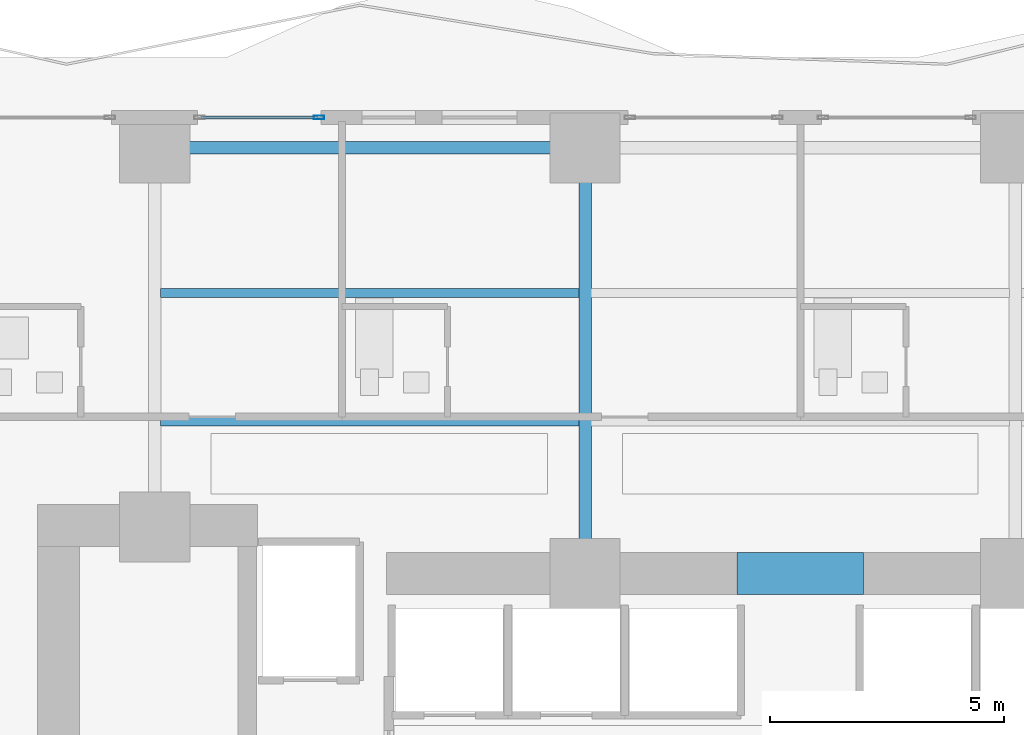
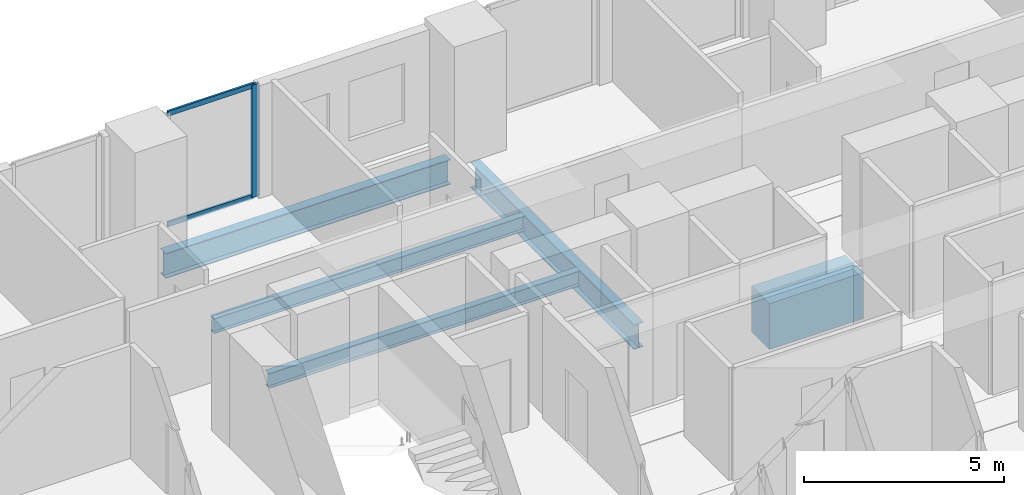
# One storey, part 14 of 30: 5 beams, 3 members, 1 element without a shape of its own.
"""IFC4 building model written with IfcOpenShell, lengths in metres."""

from ifc_helpers import new_model, si_unit, direction, frame, origin, origin_2d, place, context, subcontext, project, spatial, rectangle, hollow_rectangle, i_section, extrude, material, layer, layer_set, material_profile, profile_set, type_object, element, aggregate, save


model = new_model("IFC4")

# Units and contexts
model_context = context("Model", 3, precision=1e-05, world=origin(), true_north=direction((0.0, 1.0)))
body_context = subcontext(model_context, "Body", "Model", "MODEL_VIEW")
ifc_project = project(units=[si_unit("LENGTHUNIT", "METRE"), si_unit("AREAUNIT", "SQUARE_METRE"), si_unit("VOLUMEUNIT", "CUBIC_METRE"), si_unit("PLANEANGLEUNIT", "RADIAN"), si_unit("MASSUNIT", "GRAM", prefix="KILO")], contexts=[model_context])

# Site, building, storey
site_placement = place(None, origin())
site = spatial("IfcSite", under=ifc_project, at=site_placement, CompositionType="ELEMENT")
building_placement = place(site_placement, origin())
building = spatial("IfcBuilding", under=site, at=building_placement, Name="Zuhayl Quay Hotel", CompositionType="ELEMENT")
storey_placement = place(building_placement, frame((0.0, 0.0, 82.35009765625)))
storey = spatial("IfcBuildingStorey", under=building, at=storey_placement, Name="L20", CompositionType="ELEMENT", Elevation=82.35009765625)

# Beams
ifc_material_1 = material(Name="Steel ASTM A992 Grade 50", Category="steel")
ifc_material_profile_1 = material_profile(ifc_material_1, i_section(OverallWidth=0.26708984375, OverallDepth=0.761962890625, WebThickness=0.014404296875, FlangeThickness=0.021484375, at=origin_2d()), Name="W30X116")
ifc_profile_set_1 = profile_set([ifc_material_profile_1], Name="Steel ASTM A992 Grade 50")
beam_type_1 = type_object("IfcBeamType", Name="BM_B1_W30X116", PredefinedType="BEAM", material=ifc_profile_set_1)
beam_1_placement = place(storey_placement, frame((-5.10009765625, 22.449951171875, -0.60107421875), z_axis=(-1.0, 0.0, 0.0), x_axis=(0.0, -1.0, 0.0)))
element("IfcBeam", 1, at=beam_1_placement, inside=storey, type_object=beam_type_1, Name="L20 Floor Beam RG_L20_09", PredefinedType="BEAM", context=body_context, shape_type="SweptSolid", body=[
    extrude(i_section(OverallWidth=0.26708984375, OverallDepth=0.761962890625, WebThickness=0.014404296875, FlangeThickness=0.021484375, at=origin_2d()), origin(), (0.0, 0.0, 1.0), 8.199951171875),
])
beam_2_placement = place(storey_placement, frame((-4.60009765625, 13.800048828125, -0.60107421875), z_axis=(0.0, 1.0, 0.0), x_axis=(-1.0, 0.0, 0.0)))
element("IfcBeam", 2, at=beam_2_placement, inside=storey, type_object=beam_type_1, Name="L20 Floor Beam FG_N_L20_2", PredefinedType="BEAM", context=body_context, shape_type="SweptSolid", body=[
    extrude(i_section(OverallWidth=0.26708984375, OverallDepth=0.761962890625, WebThickness=0.014404296875, FlangeThickness=0.021484375, at=origin_2d()), origin(), (0.0, 0.0, 1.0), 8.14990234375),
])
ifc_material_2 = material(Name="Concrete C60/75", Category="concrete")
ifc_material_profile_2 = material_profile(ifc_material_2, rectangle(XDim=0.89990234375, YDim=1.39990234375, at=origin_2d()), Name="RC900X1400")
ifc_profile_set_2 = profile_set([ifc_material_profile_2], Name="Concrete C60/75")
beam_type_2 = type_object("IfcBeamType", Name="BM_CB1_RC900", PredefinedType="T_BEAM", material=ifc_profile_set_2)
beam_3_placement = place(storey_placement, frame((-1.35009765625, 13.35009765625, -0.920166015625), z_axis=(1.0, 0.0, 0.0), x_axis=(0.0, 1.0, 0.0)))
element("IfcBeam", 3, at=beam_3_placement, inside=storey, type_object=beam_type_2, Name="L20 Core Coupling Beam North", PredefinedType="T_BEAM", context=body_context, shape_type="SweptSolid", body=[
    extrude(rectangle(XDim=0.89990234375, YDim=1.39990234375, at=origin_2d()), origin(), (0.0, 0.0, 1.0), 2.7001953125),
])
ifc_material_profile_3 = material_profile(ifc_material_1, i_section(OverallWidth=0.18994140625, OverallDepth=0.45703125, WebThickness=0.009033203125, FlangeThickness=0.014404296875, at=origin_2d()), Name="W18X50")
ifc_profile_set_3 = profile_set([ifc_material_profile_3], Name="Steel ASTM A992 Grade 50")
beam_type_3 = type_object("IfcBeamType", Name="BM_J2_W18X50", PredefinedType="JOIST", material=ifc_profile_set_3)
for number, where, z_axis, x_axis, name in (
    (4, (-13.674560546875, 16.60009765625, -0.448486328125), (1.0, 0.0, 0.0), (0.0, 1.0, 0.0), "L20 Floor Beam FJ_L20_1_1"),
    (5, (-13.674560546875, 19.35009765625, -0.448486328125), (1.0, 0.0, 0.0), (0.0, 1.0, 0.0), "L20 Floor Beam FJ_L20_2_1"),
):
    element("IfcBeam", number, at=place(storey_placement, frame(where, z_axis=z_axis, x_axis=x_axis)), inside=storey, type_object=beam_type_3, Name=name, PredefinedType="JOIST", context=body_context, shape_type="SweptSolid", body=[
        extrude(i_section(OverallWidth=0.18994140625, OverallDepth=0.45703125, WebThickness=0.009033203125, FlangeThickness=0.014404296875, at=origin_2d()), origin(), (0.0, 0.0, 1.0), 8.948974609375),
    ])

# Curtain wall, members
ifc_material_3 = material(Name="Anodised Aluminium 6063-T6", Category="aluminium")
ifc_layer = layer(ifc_material_3, 0.18994140625, Name="Anodised Aluminium 6063-T6", Category="aluminium")
ifc_layer_set = layer_set([ifc_layer], Name="Anodised Aluminium 6063-T6")
curtain_wall_type = type_object("IfcCurtainWallType", Name="CW_SYS_Z1", PredefinedType="USERDEFINED", material=ifc_layer_set)
curtain_wall_placement = place(storey_placement, origin())
curtain_wall = element("IfcCurtainWall", 6, at=curtain_wall_placement, inside=storey, type_object=curtain_wall_type, Name="L20 Curtain Wall ENV_L20_N_CW3", ObjectType="UNITISED CURTAIN WALL", PredefinedType="USERDEFINED")
ifc_material_4 = material(Name="Black-anodised aluminium 6063-T6", Category="aluminium")
ifc_material_profile_4 = material_profile(ifc_material_4, hollow_rectangle(XDim=0.074951171875, YDim=0.219970703125, WallThickness=0.00390625, at=origin_2d()), Name="ALU220X75")
ifc_profile_set_4 = profile_set([ifc_material_profile_4], Name="Black-anodised aluminium 6063-T6")
member_type_1 = type_object("IfcMemberType", Name="MB_CW_MUL_220", PredefinedType="MULLION", material=ifc_profile_set_4)
member_1_placement = place(storey_placement, frame((-10.28759765625, 23.10009765625, 0.0), z_axis=(0.0, 0.0, 1.0), x_axis=(0.0, 1.0, 0.0)))
member_1 = element("IfcMember", 7, at=member_1_placement, type_object=member_type_1, Name="CW-Z1 mullion 2", PredefinedType="MULLION", context=body_context, shape_type="SweptSolid", body=[
    extrude(hollow_rectangle(XDim=0.074951171875, YDim=0.219970703125, WallThickness=0.00390625, at=origin_2d()), origin(), (0.0, 0.0, 1.0), 3.429931640625),
])
ifc_material_profile_5 = material_profile(ifc_material_4, hollow_rectangle(XDim=0.06005859375, YDim=0.14990234375, WallThickness=0.00341796875, at=origin_2d()), Name="ALU150X60")
ifc_profile_set_5 = profile_set([ifc_material_profile_5], Name="Black-anodised aluminium 6063-T6")
member_type_2 = type_object("IfcMemberType", Name="MB_CW_TRN_150", PredefinedType="USERDEFINED", material=ifc_profile_set_5)
member_2_placement = place(storey_placement, frame((-12.804931640625, 23.10009765625, 0.02978515625), z_axis=(1.0, 0.0, 0.0), x_axis=(0.0, 1.0, 0.0)))
member_2 = element("IfcMember", 8, at=member_2_placement, type_object=member_type_2, Name="CW-Z1 transom 1.1", ObjectType="TRANSOM", PredefinedType="USERDEFINED", context=body_context, shape_type="SweptSolid", body=[
    extrude(hollow_rectangle(XDim=0.06005859375, YDim=0.14990234375, WallThickness=0.00341796875, at=origin_2d()), origin(), (0.0, 0.0, 1.0), 2.47998046875),
])
member_3_placement = place(storey_placement, frame((-12.804931640625, 23.10009765625, 3.39990234375), z_axis=(1.0, 0.0, 0.0), x_axis=(0.0, 1.0, 0.0)))
member_3 = element("IfcMember", 9, at=member_3_placement, type_object=member_type_2, Name="CW-Z1 transom 1.2", ObjectType="TRANSOM", PredefinedType="USERDEFINED", context=body_context, shape_type="SweptSolid", body=[
    extrude(hollow_rectangle(XDim=0.06005859375, YDim=0.14990234375, WallThickness=0.00341796875, at=origin_2d()), origin(), (0.0, 0.0, 1.0), 2.47998046875),
])
aggregate(curtain_wall, [member_1, member_2, member_3])

save(model, "model.ifc")
